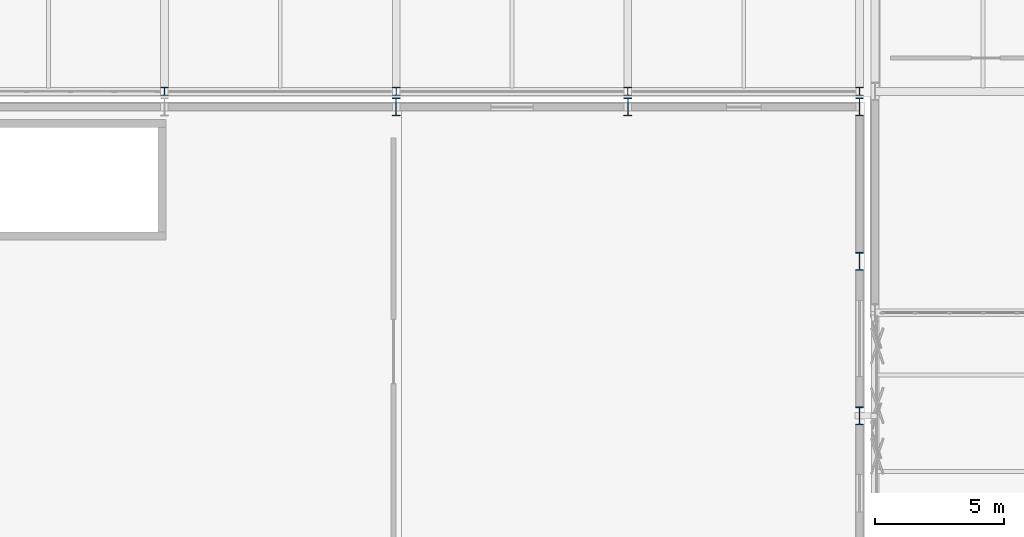
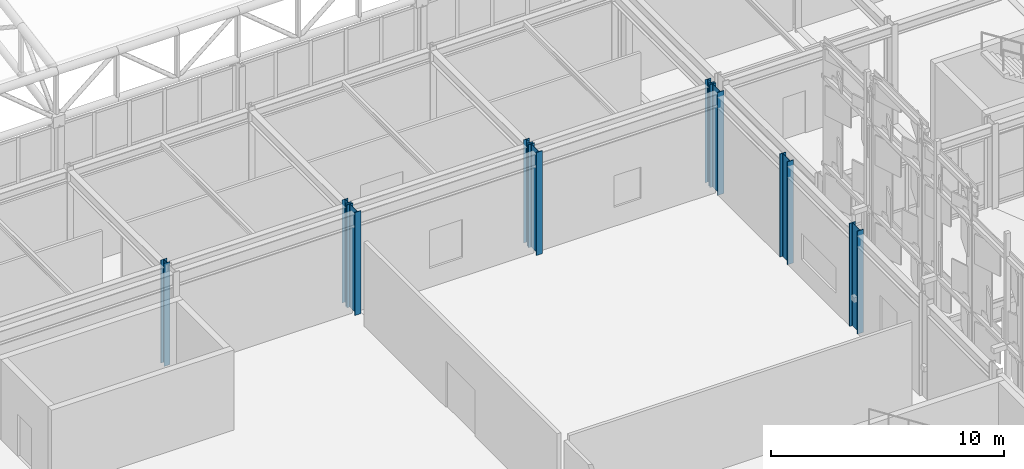
# One storey, part 4 of 239: 9 columns.
"""IFC4 building model written with IfcOpenShell, lengths in metres."""

import ifcopenshell
import ifcopenshell.guid

model = None  # the IFC model being written
_history = None  # IfcOwnerHistory: only IFC2X3 demands one
_inside = {}  # id of a spatial element -> (the spatial element, [elements in it])
_under = {}  # id of a project, library or spatial element -> (it, [spatial elements below it])
_declared = {}  # id of a project -> (the project, [libraries it declares])
_typed = {}  # id of a type object -> (the type object, [elements of that type])
_made_of = {}  # id of a material, layer set ... -> (it, [elements and type objects made of it])


def new_model(schema):
    """Start an empty IFC model of exactly this schema.

    Asked for "IFC4X3", IfcOpenShell would pick the latest addendum, in which some entities
    have other attributes; the version numbers below select the first issue.
    IFC2X3 requires an IfcOwnerHistory on every rooted entity: one is made here for all.
    """
    global model, _history
    if schema == "IFC4X3":
        model = ifcopenshell.file(schema_version=(4, 3, 0, 0))
    else:
        model = ifcopenshell.file(schema=schema)
    _inside.clear()
    _under.clear()
    _declared.clear()
    _typed.clear()
    _made_of.clear()
    _history = None
    if model.schema == "IFC2X3":
        org = make("IfcOrganization", Name="unknown")
        user = make(
            "IfcPersonAndOrganization",
            ThePerson=make("IfcPerson", FamilyName="unknown"),
            TheOrganization=org,
        )
        app = make(
            "IfcApplication",
            ApplicationDeveloper=org,
            Version="unknown",
            ApplicationFullName="unknown",
            ApplicationIdentifier="unknown",
        )
        _history = make(
            "IfcOwnerHistory",
            OwningUser=user,
            OwningApplication=app,
            ChangeAction="ADDED",
            CreationDate=0,
        )
    return model


def make(cls, **values):
    """One entity of the class cls with the attributes given. An attribute that is None is left unset."""
    return model.create_entity(
        cls, **{name: value for name, value in values.items() if value is not None}
    )


def rooted(cls, **values):
    """An entity with a GlobalId (a new one), such as an element, a storey or a relation."""
    return make(cls, GlobalId=ifcopenshell.guid.new(), OwnerHistory=_history, **values)


def si_unit(unit_type, name, prefix=None):
    """IfcSIUnit, for example si_unit("LENGTHUNIT", "METRE", prefix="MILLI")."""
    return make("IfcSIUnit", UnitType=unit_type, Prefix=prefix, Name=name)


def assignment(units):
    """IfcUnitAssignment: the units of a project."""
    return None if units is None else make("IfcUnitAssignment", Units=units)


def point(xyz):
    """IfcCartesianPoint."""
    return None if xyz is None else make("IfcCartesianPoint", Coordinates=xyz)


def direction(xyz):
    """IfcDirection."""
    return None if xyz is None else make("IfcDirection", DirectionRatios=xyz)


def frame(location, z_axis=None, x_axis=None):
    """IfcAxis2Placement3D, a coordinate frame: its origin and axes. An axis left out is left unset."""
    return make(
        "IfcAxis2Placement3D",
        Location=point(location),
        Axis=direction(z_axis),
        RefDirection=direction(x_axis),
    )


def frame_2d(location, x_axis=None):
    """IfcAxis2Placement2D, a coordinate frame in the plane: its origin and x axis."""
    return make(
        "IfcAxis2Placement2D", Location=point(location), RefDirection=direction(x_axis)
    )


def origin():
    """The frame at (0, 0, 0) with its axes left unset."""
    return frame((0.0, 0.0, 0.0))


def origin_2d():
    """The frame at (0, 0) in the plane with its x axis left unset."""
    return frame_2d((0.0, 0.0))


def place(relative_to, where):
    """IfcLocalPlacement: puts the frame where relative to a parent placement (None: the world)."""
    return make(
        "IfcLocalPlacement", PlacementRelTo=relative_to, RelativePlacement=where
    )


def context(
    kind, dimensions, precision=None, world=None, true_north=None, identifier=None
):
    """IfcGeometricRepresentationContext, for example the 3D "Model" context."""
    return make(
        "IfcGeometricRepresentationContext",
        ContextIdentifier=identifier,
        ContextType=kind,
        CoordinateSpaceDimension=dimensions,
        Precision=precision,
        WorldCoordinateSystem=world,
        TrueNorth=true_north,
    )


def subcontext(parent, identifier, kind, view, scale=None):
    """IfcGeometricRepresentationSubContext, for example "Body" below "Model"."""
    return make(
        "IfcGeometricRepresentationSubContext",
        ContextIdentifier=identifier,
        ContextType=kind,
        ParentContext=parent,
        TargetScale=scale,
        TargetView=view,
    )


def project(units=None, contexts=None):
    """IfcProject with its units and contexts."""
    return rooted(
        "IfcProject",
        Name="project",
        RepresentationContexts=contexts,
        UnitsInContext=assignment(units),
    )


def spatial(cls, under=None, at=None, **own):
    """A site, building, storey or space (cls), placed at a placement, below another one or the project."""
    s = rooted(cls, ObjectPlacement=at, **own)
    if under is not None:
        _under.setdefault(under.id(), (under, []))[1].append(s)
    return s


def profile(cls, at=None, kind="AREA", **sizes):
    """A parametric profile (cls). Its sizes go by their IFC names, for example OverallWidth=200.0."""
    return make(cls, ProfileType=kind, Position=at, **sizes)


def i_section(**sizes):
    """IfcIShapeProfileDef."""
    return profile("IfcIShapeProfileDef", **sizes)


def extrude(swept, where, along, depth):
    """IfcExtrudedAreaSolid: the profile swept, set in the frame where, extruded along a direction by depth."""
    return make(
        "IfcExtrudedAreaSolid",
        SweptArea=swept,
        Position=where,
        ExtrudedDirection=direction(along),
        Depth=depth,
    )


def shape(context_of_items, identifier, shape_type, items):
    """IfcShapeRepresentation: the items that make up one representation, for example the "Body"."""
    return make(
        "IfcShapeRepresentation",
        ContextOfItems=context_of_items,
        RepresentationIdentifier=identifier,
        RepresentationType=shape_type,
        Items=items,
    )


def material(Name=None, Category=None):
    """IfcMaterial."""
    return make("IfcMaterial", Name=Name, Category=Category)


def material_profile(
    of_material, cross_section, Name=None, Category=None, Priority=None
):
    """IfcMaterialProfile: a cross section and its material."""
    return make(
        "IfcMaterialProfile",
        Name=Name,
        Material=of_material,
        Profile=cross_section,
        Priority=Priority,
        Category=Category,
    )


def profile_set(profiles, Name=None, composite=None):
    """IfcMaterialProfileSet."""
    return make(
        "IfcMaterialProfileSet",
        Name=Name,
        MaterialProfiles=profiles,
        CompositeProfile=composite,
    )


def made_of(thing, what):
    """Note that an element or type object is made of a material, layer set ...; save() writes the relation."""
    if what is not None:
        _made_of.setdefault(what.id(), (what, []))[1].append(thing)
    return thing


def type_object(cls, material=None, **own):
    """A type object (cls), such as IfcWallType, which elements share."""
    return made_of(rooted(cls, **own), material)


def element(
    cls,
    number,
    at=None,
    inside=None,
    cuts=None,
    type_object=None,
    material=None,
    context=None,
    identifier="Body",
    shape_type=None,
    held_by="IfcProductDefinitionShape",
    body=None,
    shapes=None,
    **own,
):
    """One element of the class cls, such as IfcWall. Its Tag is "e" and its number.

    at: its placement. inside: the storey or other place that contains it. cuts: it is an
    opening in that element (IfcRelVoidsElement). A single representation is given by context,
    identifier, shape_type and body (its items); several are given by shapes. held_by: the class
    of the entity that holds the representations. save() writes the other relations.
    """
    e = rooted(cls, Tag="e%d" % number, ObjectPlacement=at, **own)
    if body is not None:
        shapes = [shape(context, identifier, shape_type, body)]
    if shapes is not None:
        e.Representation = make(held_by, Representations=shapes)
    if inside is not None:
        _inside.setdefault(inside.id(), (inside, []))[1].append(e)
    if cuts is not None:
        rooted(
            "IfcRelVoidsElement", RelatingBuildingElement=cuts, RelatedOpeningElement=e
        )
    if type_object is not None:
        _typed.setdefault(type_object.id(), (type_object, []))[1].append(e)
    return made_of(e, material)


def aggregate(whole, parts):
    """IfcRelAggregates: a whole, such as a stair, and the parts it consists of."""
    return rooted("IfcRelAggregates", RelatingObject=whole, RelatedObjects=parts)


def save(model, path):
    """Write the relations noted so far, then the file.

    IfcRelAggregates (storeys below a building ...), IfcRelContainedInSpatialStructure (elements
    in a storey), IfcRelDefinesByType, IfcRelAssociatesMaterial and IfcRelDeclares: one each for
    every whole, place, type object, material and project.
    """
    for whole, parts in _under.values():
        aggregate(whole, parts)
    for where, things in _inside.values():
        rooted(
            "IfcRelContainedInSpatialStructure",
            RelatedElements=things,
            RelatingStructure=where,
        )
    for kind, things in _typed.values():
        rooted("IfcRelDefinesByType", RelatedObjects=things, RelatingType=kind)
    for what, things in _made_of.values():
        rooted("IfcRelAssociatesMaterial", RelatedObjects=things, RelatingMaterial=what)
    for by, libraries in _declared.values():
        rooted("IfcRelDeclares", RelatingContext=by, RelatedDefinitions=libraries)
    model.write(path)


model = new_model("IFC4")

# Units and contexts
model_context = context("Model", 3, precision=1e-05, world=origin(), true_north=direction((0.0, 1.0)))
body_context = subcontext(model_context, "Body", "Model", "MODEL_VIEW")
ifc_project = project(units=[si_unit("LENGTHUNIT", "METRE"), si_unit("AREAUNIT", "SQUARE_METRE"), si_unit("VOLUMEUNIT", "CUBIC_METRE"), si_unit("PLANEANGLEUNIT", "RADIAN"), si_unit("MASSUNIT", "GRAM", prefix="KILO")], contexts=[model_context])

# Site, building, storey
site_placement = place(None, origin())
site = spatial("IfcSite", under=ifc_project, at=site_placement, CompositionType="ELEMENT")
building_placement = place(site_placement, origin())
building = spatial("IfcBuilding", under=site, at=building_placement, Name="Kaldris Quays Convention Centre", CompositionType="ELEMENT")
storey_placement = place(building_placement, frame((0.0, 0.0, 11.39990234375)))
storey = spatial("IfcBuildingStorey", under=building, at=storey_placement, Name="L02", CompositionType="ELEMENT", Elevation=11.39990234375)

# Columns
ifc_material = material(Name="Steel S355J2", Category="steel")
ifc_material_profile_1 = material_profile(ifc_material, i_section(OverallWidth=0.300048828125, OverallDepth=0.699951171875, WebThickness=0.01708984375, FlangeThickness=0.031982421875, FilletRadius=0.027099609375, at=origin_2d()), Name="HEB 700")
ifc_profile_set_1 = profile_set([ifc_material_profile_1], Name="Steel S355J2")
column_type_1 = type_object("IfcColumnType", Name="STRUCTURAL COLUMN CL05", PredefinedType="COLUMN", material=ifc_profile_set_1)
for number, where, z_axis, x_axis, name in (
    (1, (65.0, 46.0, 0.0), (0.0, 0.0, 1.0), (1.0, 0.0, 0.0), "L02 V3 Column CL05 (65.00, 46.00)"),
    (2, (74.0, 46.0, 0.0), (0.0, 0.0, 1.0), (1.0, 0.0, 0.0), "L02 V3 Column CL05 (74.00, 46.00)"),
    (3, (83.0, 34.0, 0.0), (0.0, 0.0, 1.0), (1.0, 0.0, 0.0), "L02 V3 Column CL05 (83.00, 34.00)"),
    (4, (83.0, 40.0, 0.0), (0.0, 0.0, 1.0), (1.0, 0.0, 0.0), "L02 V3 Column CL05 (83.00, 40.00)"),
    (5, (83.0, 46.0, 0.0), (0.0, 0.0, 1.0), (1.0, 0.0, 0.0), "L02 V3 Column CL05 (83.00, 46.00)"),
):
    element("IfcColumn", number, at=place(storey_placement, frame(where, z_axis=z_axis, x_axis=x_axis)), inside=storey, type_object=column_type_1, Name=name, PredefinedType="COLUMN", context=body_context, shape_type="SweptSolid", body=[
        extrude(i_section(OverallWidth=0.300048828125, OverallDepth=0.699951171875, WebThickness=0.01708984375, FlangeThickness=0.031982421875, FilletRadius=0.027099609375, at=origin_2d()), origin(), (0.0, 0.0, 1.0), 5.400146484375),
    ])
ifc_material_profile_2 = material_profile(ifc_material, i_section(OverallWidth=0.300048828125, OverallDepth=0.31005859375, WebThickness=0.009033203125, FlangeThickness=0.015380859375, FilletRadius=0.027099609375, at=origin_2d()), Name="HEA 320")
ifc_profile_set_2 = profile_set([ifc_material_profile_2], Name="Steel S355J2")
column_type_2 = type_object("IfcColumnType", Name="STRUCTURAL COLUMN CL17", PredefinedType="COLUMN", material=ifc_profile_set_2)
for number, where, z_axis, x_axis, name in (
    (6, (56.0, 46.60009765625, 0.0), (0.0, 0.0, 1.0), (1.0, 0.0, 0.0), "L02 V4 Column CL17 (56.00, 46.60)"),
    (7, (65.0, 46.60009765625, 0.0), (0.0, 0.0, 1.0), (1.0, 0.0, 0.0), "L02 V4 Column CL17 (65.00, 46.60)"),
    (8, (74.0, 46.60009765625, 0.0), (0.0, 0.0, 1.0), (1.0, 0.0, 0.0), "L02 V4 Column CL17 (74.00, 46.60)"),
    (9, (83.0, 46.60009765625, 0.0), (0.0, 0.0, 1.0), (1.0, 0.0, 0.0), "L02 V4 Column CL17 (83.00, 46.60)"),
):
    element("IfcColumn", number, at=place(storey_placement, frame(where, z_axis=z_axis, x_axis=x_axis)), inside=storey, type_object=column_type_2, Name=name, PredefinedType="COLUMN", context=body_context, shape_type="SweptSolid", body=[
        extrude(i_section(OverallWidth=0.300048828125, OverallDepth=0.31005859375, WebThickness=0.009033203125, FlangeThickness=0.015380859375, FilletRadius=0.027099609375, at=origin_2d()), origin(), (0.0, 0.0, 1.0), 5.400146484375),
    ])

save(model, "model.ifc")
